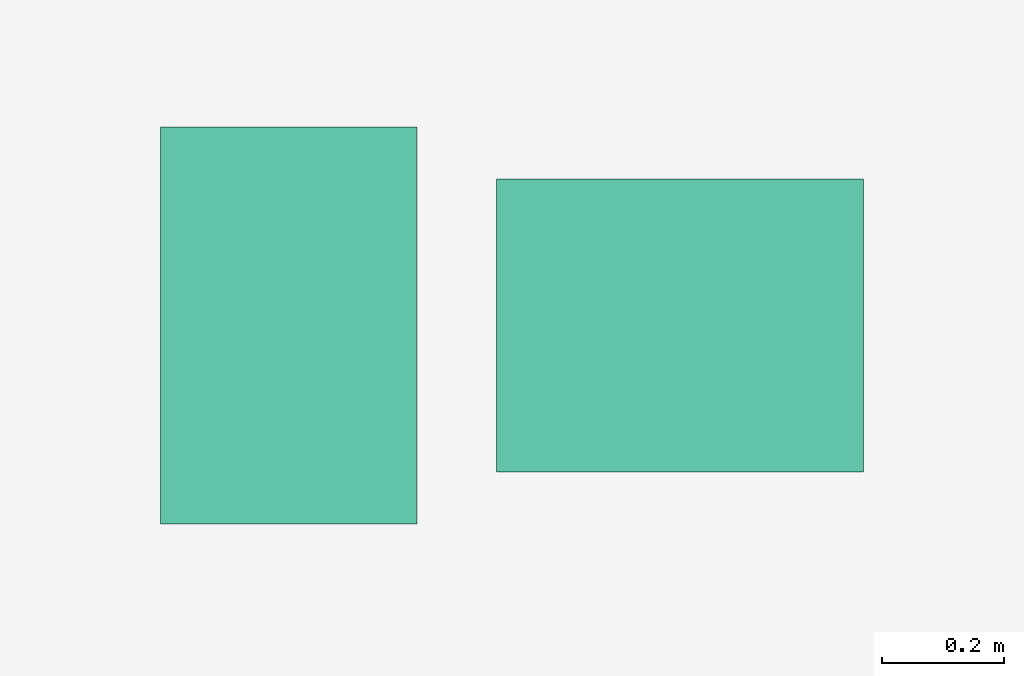
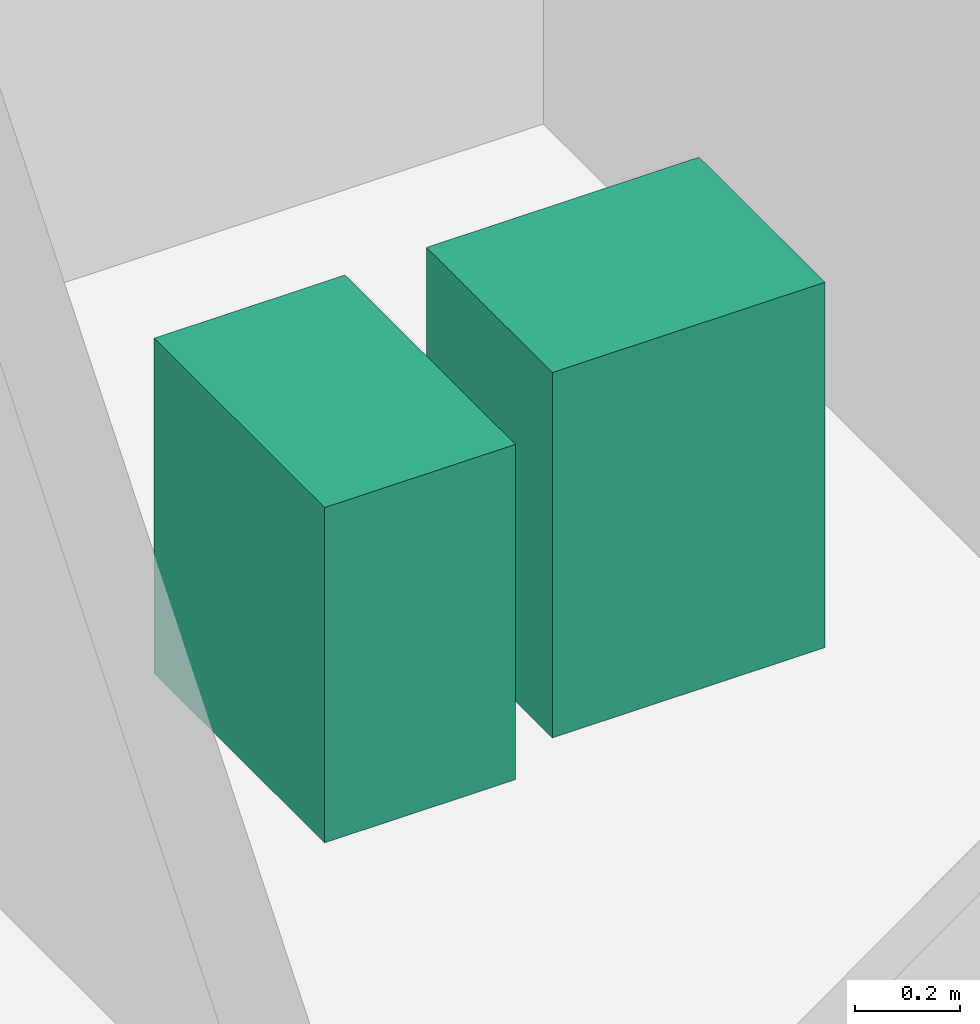
# One storey, part 10 of 10: 2 sanitary terminals.
"""IFC4 building model written with IfcOpenShell, lengths in metres."""

from ifc_helpers import new_model, si_unit, direction, frame, origin, origin_2d, place, context, subcontext, project, spatial, rectangle, extrude, material, type_object, element, save


model = new_model("IFC4")

# Units and contexts
model_context = context("Model", 3, precision=1e-05, world=origin(), true_north=direction((0.0, 1.0)))
body_context = subcontext(model_context, "Body", "Model", "MODEL_VIEW")
ifc_project = project(units=[si_unit("LENGTHUNIT", "METRE"), si_unit("AREAUNIT", "SQUARE_METRE"), si_unit("VOLUMEUNIT", "CUBIC_METRE"), si_unit("PLANEANGLEUNIT", "RADIAN"), si_unit("MASSUNIT", "GRAM", prefix="KILO")], contexts=[model_context])

# Site, building, storey
site_placement = place(None, origin())
site = spatial("IfcSite", under=ifc_project, at=site_placement, CompositionType="ELEMENT")
building_placement = place(site_placement, origin())
building = spatial("IfcBuilding", under=site, at=building_placement, Name="Solmavex Isthmus Hotel", CompositionType="ELEMENT")
storey_placement = place(building_placement, frame((0.0, 0.0, 186.300048828125)))
storey = spatial("IfcBuildingStorey", under=building, at=storey_placement, Name="L50", CompositionType="ELEMENT", Elevation=186.300048828125)

# Sanitary terminals
ifc_material = material(Name="Vitreous china ceramic", Category="ceramic")
sanitary_terminal_type_1 = type_object("IfcSanitaryTerminalType", Name="SAN-BASIN", PredefinedType="WASHHANDBASIN", material=ifc_material)
sanitary_terminal_1_placement = place(storey_placement, frame((3.02001953125, -4.385009765625, 0.0), z_axis=(0.0, 0.0, 1.0), x_axis=(1.0, 0.0, 0.0)))
element("IfcSanitaryTerminal", 1, at=sanitary_terminal_1_placement, inside=storey, type_object=sanitary_terminal_type_1, Name="Vanity Washbasin L50-230", PredefinedType="WASHHANDBASIN", context=body_context, shape_type="SweptSolid", body=[
    extrude(rectangle(XDim=0.60009765625, YDim=0.47998046875, at=origin_2d()), origin(), (0.0, 0.0, 1.0), 0.85009765625),
])
sanitary_terminal_type_2 = type_object("IfcSanitaryTerminalType", Name="SAN-WC-SUITE", PredefinedType="TOILETPAN", material=ifc_material)
sanitary_terminal_2_placement = place(storey_placement, frame((2.3798828125, -4.385009765625, 0.0), z_axis=(0.0, 0.0, 1.0), x_axis=(1.0, 0.0, 0.0)))
element("IfcSanitaryTerminal", 2, at=sanitary_terminal_2_placement, inside=storey, type_object=sanitary_terminal_type_2, Name="Water Closet L50-230", PredefinedType="TOILETPAN", context=body_context, shape_type="SweptSolid", body=[
    extrude(rectangle(XDim=0.419921875, YDim=0.64990234375, at=origin_2d()), origin(), (0.0, 0.0, 1.0), 0.780029296875),
])

save(model, "model.ifc")
